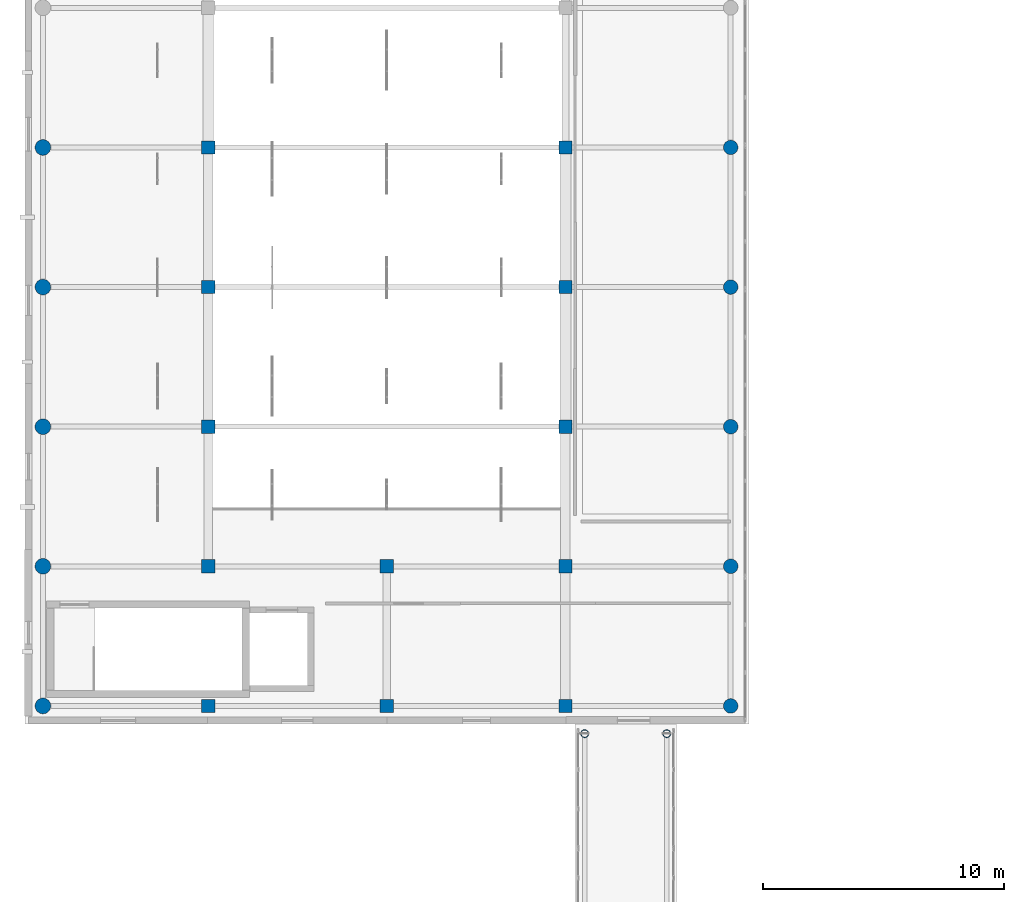
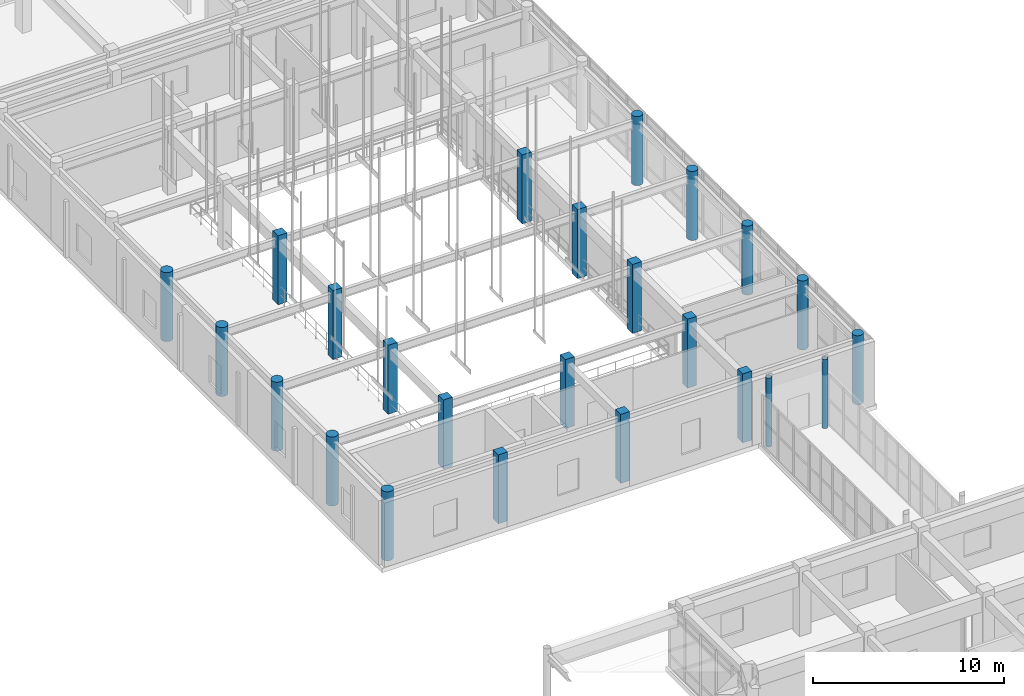
# One storey, part 3 of 142: 24 columns.
"""IFC4 building model written with IfcOpenShell, lengths in metres."""

from ifc_helpers import new_model, si_unit, direction, frame, origin, origin_2d, place, context, subcontext, project, spatial, rectangle, circle, hollow_circle, extrude, material, material_profile, profile_set, type_object, element, save


model = new_model("IFC4")

# Units and contexts
model_context = context("Model", 3, precision=1e-05, world=origin(), true_north=direction((0.0, 1.0)))
body_context = subcontext(model_context, "Body", "Model", "MODEL_VIEW")
ifc_project = project(units=[si_unit("LENGTHUNIT", "METRE"), si_unit("AREAUNIT", "SQUARE_METRE"), si_unit("VOLUMEUNIT", "CUBIC_METRE"), si_unit("PLANEANGLEUNIT", "RADIAN"), si_unit("MASSUNIT", "GRAM", prefix="KILO")], contexts=[model_context])

# Site, building, storey
site_placement = place(None, origin())
site = spatial("IfcSite", under=ifc_project, at=site_placement, CompositionType="ELEMENT")
building_placement = place(site_placement, origin())
building = spatial("IfcBuilding", under=site, at=building_placement, Name="Valcora Specialist Clinic", CompositionType="ELEMENT")
storey_placement = place(building_placement, frame((0.0, 0.0, 5.10009765625)))
storey = spatial("IfcBuildingStorey", under=building, at=storey_placement, Name="L01", CompositionType="ELEMENT", Elevation=5.10009765625)

# Columns
ifc_material_1 = material(Name="Steel ASTM A500 Grade C", Category="steel")
ifc_material_profile_1 = material_profile(ifc_material_1, hollow_circle(Radius=0.162109375, WallThickness=0.011962890625, at=origin_2d()), Name="ST-CHS-324X12")
ifc_profile_set_1 = profile_set([ifc_material_profile_1], Name="Steel ASTM A500 Grade C")
column_type_1 = type_object("IfcColumnType", Name="TY-COL-CHS324", PredefinedType="COLUMN", material=ifc_profile_set_1)
for number, where, z_axis, x_axis, name in (
    (1, (23.199951171875, 37.60009765625, 0.0), (0.0, 0.0, 1.0), (1.0, 0.0, 0.0), "Column COL-L01-0952"),
    (2, (26.60009765625, 37.60009765625, 0.0), (0.0, 0.0, 1.0), (1.0, 0.0, 0.0), "Column COL-L01-0958"),
):
    element("IfcColumn", number, at=place(storey_placement, frame(where, z_axis=z_axis, x_axis=x_axis)), inside=storey, type_object=column_type_1, Name=name, PredefinedType="COLUMN", context=body_context, shape_type="SweptSolid", body=[
        extrude(hollow_circle(Radius=0.162109375, WallThickness=0.011962890625, at=origin_2d()), origin(), (0.0, 0.0, 1.0), 4.419921875),
    ])
ifc_material_2 = material(Name="Concrete C40/50", Category="concrete")
ifc_material_profile_2 = material_profile(ifc_material_2, rectangle(XDim=0.550048828125, YDim=0.550048828125, at=origin_2d()), Name="RC-COL-550X550")
ifc_profile_set_2 = profile_set([ifc_material_profile_2], Name="Concrete C40/50")
column_type_2 = type_object("IfcColumnType", Name="TY-COL-RC550", PredefinedType="COLUMN", material=ifc_profile_set_2)
for number, where, z_axis, x_axis, name in (
    (3, (7.60009765625, 38.75, 0.0), (0.0, 0.0, 1.0), (1.0, 0.0, 0.0), "Column COL-L01-0035"),
    (4, (7.60009765625, 44.535888671875, 0.0), (0.0, 0.0, 1.0), (1.0, 0.0, 0.0), "Column COL-L01-0038"),
    (5, (7.60009765625, 50.321044921875, 0.0), (0.0, 0.0, 1.0), (1.0, 0.0, 0.0), "Column COL-L01-0041"),
    (6, (7.60009765625, 56.10693359375, 0.0), (0.0, 0.0, 1.0), (1.0, 0.0, 0.0), "Column COL-L01-0044"),
    (7, (7.60009765625, 61.89306640625, 0.0), (0.0, 0.0, 1.0), (1.0, 0.0, 0.0), "Column COL-L01-0047"),
    (8, (15.0, 38.75, 0.0), (0.0, 0.0, 1.0), (1.0, 0.0, 0.0), "Column COL-L01-0059"),
    (9, (15.0, 44.535888671875, 0.0), (0.0, 0.0, 1.0), (1.0, 0.0, 0.0), "Column COL-L01-0062"),
    (10, (22.39990234375, 38.75, 0.0), (0.0, 0.0, 1.0), (1.0, 0.0, 0.0), "Column COL-L01-0079"),
    (11, (22.39990234375, 44.535888671875, 0.0), (0.0, 0.0, 1.0), (1.0, 0.0, 0.0), "Column COL-L01-0082"),
    (12, (22.39990234375, 50.321044921875, 0.0), (0.0, 0.0, 1.0), (1.0, 0.0, 0.0), "Column COL-L01-0085"),
    (13, (22.39990234375, 56.10693359375, 0.0), (0.0, 0.0, 1.0), (1.0, 0.0, 0.0), "Column COL-L01-0088"),
    (14, (22.39990234375, 61.89306640625, 0.0), (0.0, 0.0, 1.0), (1.0, 0.0, 0.0), "Column COL-L01-0091"),
):
    element("IfcColumn", number, at=place(storey_placement, frame(where, z_axis=z_axis, x_axis=x_axis)), inside=storey, type_object=column_type_2, Name=name, PredefinedType="COLUMN", context=body_context, shape_type="SweptSolid", body=[
        extrude(rectangle(XDim=0.550048828125, YDim=0.550048828125, at=origin_2d()), origin(), (0.0, 0.0, 1.0), 4.419921875),
    ])
ifc_material_profile_3 = material_profile(ifc_material_2, circle(Radius=0.300048828125, at=origin_2d()), Name="RC-COL-D600")
ifc_profile_set_3 = profile_set([ifc_material_profile_3], Name="Concrete C40/50")
column_type_3 = type_object("IfcColumnType", Name="TY-COL-RCD600", PredefinedType="COLUMN", material=ifc_profile_set_3)
for number, where, z_axis, x_axis, name in (
    (15, (29.25, 38.75, 0.0), (0.0, 0.0, 1.0), (1.0, 0.0, 0.0), "Column COL-L01-0103"),
    (16, (29.25, 44.535888671875, 0.0), (0.0, 0.0, 1.0), (1.0, 0.0, 0.0), "Column COL-L01-0107"),
    (17, (29.25, 50.321044921875, 0.0), (0.0, 0.0, 1.0), (1.0, 0.0, 0.0), "Column COL-L01-0111"),
    (18, (29.25, 56.10693359375, 0.0), (0.0, 0.0, 1.0), (1.0, 0.0, 0.0), "Column COL-L01-0115"),
    (19, (29.25, 61.89306640625, 0.0), (0.0, 0.0, 1.0), (1.0, 0.0, 0.0), "Column COL-L01-0119"),
):
    element("IfcColumn", number, at=place(storey_placement, frame(where, z_axis=z_axis, x_axis=x_axis)), inside=storey, type_object=column_type_3, Name=name, PredefinedType="COLUMN", context=body_context, shape_type="SweptSolid", body=[
        extrude(circle(Radius=0.300048828125, at=origin_2d()), origin(), (0.0, 0.0, 1.0), 4.419921875),
    ])
ifc_material_profile_4 = material_profile(ifc_material_2, circle(Radius=0.324951171875, at=origin_2d()), Name="RC-COL-D650")
ifc_profile_set_4 = profile_set([ifc_material_profile_4], Name="Concrete C40/50")
column_type_4 = type_object("IfcColumnType", Name="TY-COL-RCD650", PredefinedType="COLUMN", material=ifc_profile_set_4)
for number, where, z_axis, x_axis, name in (
    (20, (0.75, 38.75, 0.0), (0.0, 0.0, 1.0), (1.0, 0.0, 0.0), "Column COL-L01-0003"),
    (21, (0.75, 44.535888671875, 0.0), (0.0, 0.0, 1.0), (1.0, 0.0, 0.0), "Column COL-L01-0007"),
    (22, (0.75, 50.321044921875, 0.0), (0.0, 0.0, 1.0), (1.0, 0.0, 0.0), "Column COL-L01-0011"),
    (23, (0.75, 56.10693359375, 0.0), (0.0, 0.0, 1.0), (1.0, 0.0, 0.0), "Column COL-L01-0015"),
    (24, (0.75, 61.89306640625, 0.0), (0.0, 0.0, 1.0), (1.0, 0.0, 0.0), "Column COL-L01-0019"),
):
    element("IfcColumn", number, at=place(storey_placement, frame(where, z_axis=z_axis, x_axis=x_axis)), inside=storey, type_object=column_type_4, Name=name, PredefinedType="COLUMN", context=body_context, shape_type="SweptSolid", body=[
        extrude(circle(Radius=0.324951171875, at=origin_2d()), origin(), (0.0, 0.0, 1.0), 4.419921875),
    ])

save(model, "model.ifc")
